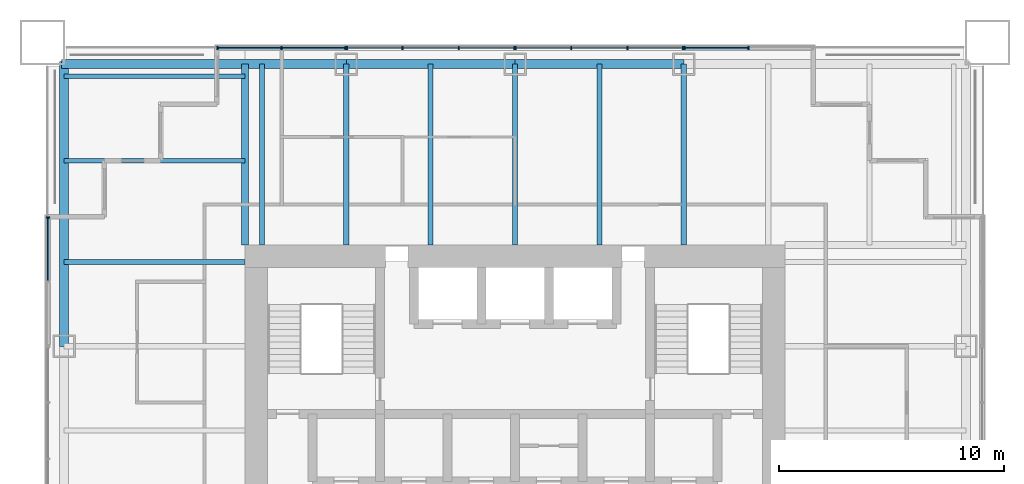
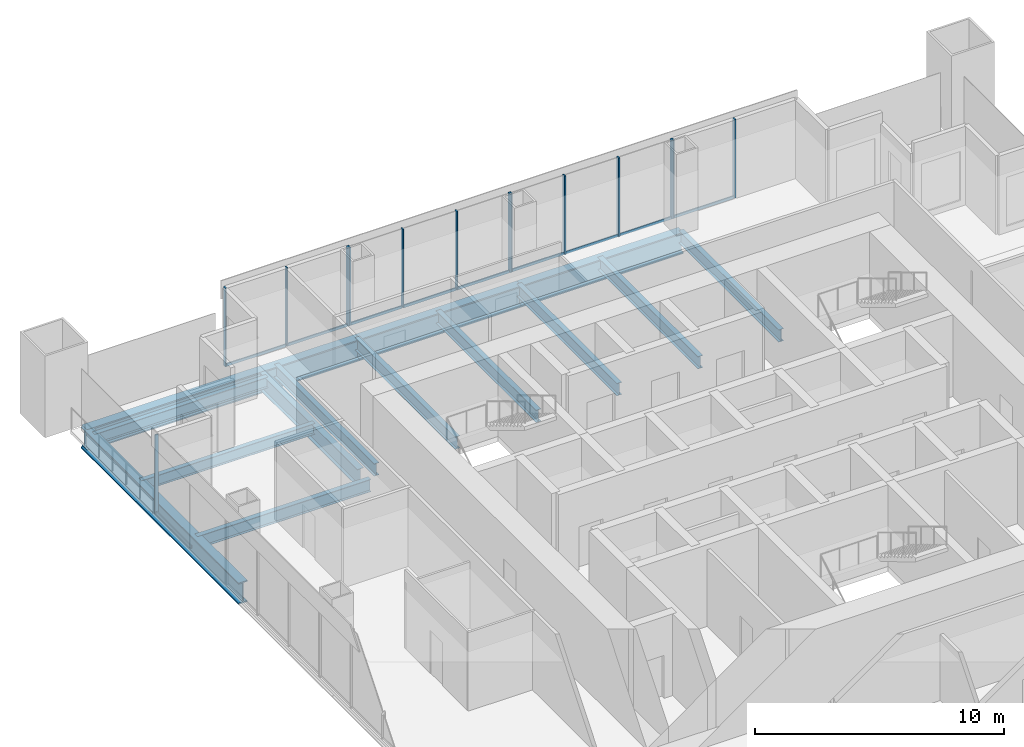
# One storey, part 6 of 14: 24 members, 14 beams, 5 elements without a shape of their own.
"""IFC4 building model written with IfcOpenShell, lengths in metres."""

import ifcopenshell
import ifcopenshell.guid

model = None  # the IFC model being written
_history = None  # IfcOwnerHistory: only IFC2X3 demands one
_inside = {}  # id of a spatial element -> (the spatial element, [elements in it])
_under = {}  # id of a project, library or spatial element -> (it, [spatial elements below it])
_declared = {}  # id of a project -> (the project, [libraries it declares])
_typed = {}  # id of a type object -> (the type object, [elements of that type])
_made_of = {}  # id of a material, layer set ... -> (it, [elements and type objects made of it])


def new_model(schema):
    """Start an empty IFC model of exactly this schema.

    Asked for "IFC4X3", IfcOpenShell would pick the latest addendum, in which some entities
    have other attributes; the version numbers below select the first issue.
    IFC2X3 requires an IfcOwnerHistory on every rooted entity: one is made here for all.
    """
    global model, _history
    if schema == "IFC4X3":
        model = ifcopenshell.file(schema_version=(4, 3, 0, 0))
    else:
        model = ifcopenshell.file(schema=schema)
    _inside.clear()
    _under.clear()
    _declared.clear()
    _typed.clear()
    _made_of.clear()
    _history = None
    if model.schema == "IFC2X3":
        org = make("IfcOrganization", Name="unknown")
        user = make(
            "IfcPersonAndOrganization",
            ThePerson=make("IfcPerson", FamilyName="unknown"),
            TheOrganization=org,
        )
        app = make(
            "IfcApplication",
            ApplicationDeveloper=org,
            Version="unknown",
            ApplicationFullName="unknown",
            ApplicationIdentifier="unknown",
        )
        _history = make(
            "IfcOwnerHistory",
            OwningUser=user,
            OwningApplication=app,
            ChangeAction="ADDED",
            CreationDate=0,
        )
    return model


def make(cls, **values):
    """One entity of the class cls with the attributes given. An attribute that is None is left unset."""
    return model.create_entity(
        cls, **{name: value for name, value in values.items() if value is not None}
    )


def rooted(cls, **values):
    """An entity with a GlobalId (a new one), such as an element, a storey or a relation."""
    return make(cls, GlobalId=ifcopenshell.guid.new(), OwnerHistory=_history, **values)


def si_unit(unit_type, name, prefix=None):
    """IfcSIUnit, for example si_unit("LENGTHUNIT", "METRE", prefix="MILLI")."""
    return make("IfcSIUnit", UnitType=unit_type, Prefix=prefix, Name=name)


def assignment(units):
    """IfcUnitAssignment: the units of a project."""
    return None if units is None else make("IfcUnitAssignment", Units=units)


def point(xyz):
    """IfcCartesianPoint."""
    return None if xyz is None else make("IfcCartesianPoint", Coordinates=xyz)


def direction(xyz):
    """IfcDirection."""
    return None if xyz is None else make("IfcDirection", DirectionRatios=xyz)


def frame(location, z_axis=None, x_axis=None):
    """IfcAxis2Placement3D, a coordinate frame: its origin and axes. An axis left out is left unset."""
    return make(
        "IfcAxis2Placement3D",
        Location=point(location),
        Axis=direction(z_axis),
        RefDirection=direction(x_axis),
    )


def frame_2d(location, x_axis=None):
    """IfcAxis2Placement2D, a coordinate frame in the plane: its origin and x axis."""
    return make(
        "IfcAxis2Placement2D", Location=point(location), RefDirection=direction(x_axis)
    )


def origin():
    """The frame at (0, 0, 0) with its axes left unset."""
    return frame((0.0, 0.0, 0.0))


def origin_2d():
    """The frame at (0, 0) in the plane with its x axis left unset."""
    return frame_2d((0.0, 0.0))


def place(relative_to, where):
    """IfcLocalPlacement: puts the frame where relative to a parent placement (None: the world)."""
    return make(
        "IfcLocalPlacement", PlacementRelTo=relative_to, RelativePlacement=where
    )


def context(
    kind, dimensions, precision=None, world=None, true_north=None, identifier=None
):
    """IfcGeometricRepresentationContext, for example the 3D "Model" context."""
    return make(
        "IfcGeometricRepresentationContext",
        ContextIdentifier=identifier,
        ContextType=kind,
        CoordinateSpaceDimension=dimensions,
        Precision=precision,
        WorldCoordinateSystem=world,
        TrueNorth=true_north,
    )


def subcontext(parent, identifier, kind, view, scale=None):
    """IfcGeometricRepresentationSubContext, for example "Body" below "Model"."""
    return make(
        "IfcGeometricRepresentationSubContext",
        ContextIdentifier=identifier,
        ContextType=kind,
        ParentContext=parent,
        TargetScale=scale,
        TargetView=view,
    )


def project(units=None, contexts=None):
    """IfcProject with its units and contexts."""
    return rooted(
        "IfcProject",
        Name="project",
        RepresentationContexts=contexts,
        UnitsInContext=assignment(units),
    )


def spatial(cls, under=None, at=None, **own):
    """A site, building, storey or space (cls), placed at a placement, below another one or the project."""
    s = rooted(cls, ObjectPlacement=at, **own)
    if under is not None:
        _under.setdefault(under.id(), (under, []))[1].append(s)
    return s


def profile(cls, at=None, kind="AREA", **sizes):
    """A parametric profile (cls). Its sizes go by their IFC names, for example OverallWidth=200.0."""
    return make(cls, ProfileType=kind, Position=at, **sizes)


def rectangle(**sizes):
    """IfcRectangleProfileDef."""
    return profile("IfcRectangleProfileDef", **sizes)


def i_section(**sizes):
    """IfcIShapeProfileDef."""
    return profile("IfcIShapeProfileDef", **sizes)


def extrude(swept, where, along, depth):
    """IfcExtrudedAreaSolid: the profile swept, set in the frame where, extruded along a direction by depth."""
    return make(
        "IfcExtrudedAreaSolid",
        SweptArea=swept,
        Position=where,
        ExtrudedDirection=direction(along),
        Depth=depth,
    )


def shape(context_of_items, identifier, shape_type, items):
    """IfcShapeRepresentation: the items that make up one representation, for example the "Body"."""
    return make(
        "IfcShapeRepresentation",
        ContextOfItems=context_of_items,
        RepresentationIdentifier=identifier,
        RepresentationType=shape_type,
        Items=items,
    )


def material(Name=None, Category=None):
    """IfcMaterial."""
    return make("IfcMaterial", Name=Name, Category=Category)


def material_profile(
    of_material, cross_section, Name=None, Category=None, Priority=None
):
    """IfcMaterialProfile: a cross section and its material."""
    return make(
        "IfcMaterialProfile",
        Name=Name,
        Material=of_material,
        Profile=cross_section,
        Priority=Priority,
        Category=Category,
    )


def profile_set(profiles, Name=None, composite=None):
    """IfcMaterialProfileSet."""
    return make(
        "IfcMaterialProfileSet",
        Name=Name,
        MaterialProfiles=profiles,
        CompositeProfile=composite,
    )


def made_of(thing, what):
    """Note that an element or type object is made of a material, layer set ...; save() writes the relation."""
    if what is not None:
        _made_of.setdefault(what.id(), (what, []))[1].append(thing)
    return thing


def type_object(cls, material=None, **own):
    """A type object (cls), such as IfcWallType, which elements share."""
    return made_of(rooted(cls, **own), material)


def element(
    cls,
    number,
    at=None,
    inside=None,
    cuts=None,
    type_object=None,
    material=None,
    context=None,
    identifier="Body",
    shape_type=None,
    held_by="IfcProductDefinitionShape",
    body=None,
    shapes=None,
    **own,
):
    """One element of the class cls, such as IfcWall. Its Tag is "e" and its number.

    at: its placement. inside: the storey or other place that contains it. cuts: it is an
    opening in that element (IfcRelVoidsElement). A single representation is given by context,
    identifier, shape_type and body (its items); several are given by shapes. held_by: the class
    of the entity that holds the representations. save() writes the other relations.
    """
    e = rooted(cls, Tag="e%d" % number, ObjectPlacement=at, **own)
    if body is not None:
        shapes = [shape(context, identifier, shape_type, body)]
    if shapes is not None:
        e.Representation = make(held_by, Representations=shapes)
    if inside is not None:
        _inside.setdefault(inside.id(), (inside, []))[1].append(e)
    if cuts is not None:
        rooted(
            "IfcRelVoidsElement", RelatingBuildingElement=cuts, RelatedOpeningElement=e
        )
    if type_object is not None:
        _typed.setdefault(type_object.id(), (type_object, []))[1].append(e)
    return made_of(e, material)


def aggregate(whole, parts):
    """IfcRelAggregates: a whole, such as a stair, and the parts it consists of."""
    return rooted("IfcRelAggregates", RelatingObject=whole, RelatedObjects=parts)


def save(model, path):
    """Write the relations noted so far, then the file.

    IfcRelAggregates (storeys below a building ...), IfcRelContainedInSpatialStructure (elements
    in a storey), IfcRelDefinesByType, IfcRelAssociatesMaterial and IfcRelDeclares: one each for
    every whole, place, type object, material and project.
    """
    for whole, parts in _under.values():
        aggregate(whole, parts)
    for where, things in _inside.values():
        rooted(
            "IfcRelContainedInSpatialStructure",
            RelatedElements=things,
            RelatingStructure=where,
        )
    for kind, things in _typed.values():
        rooted("IfcRelDefinesByType", RelatedObjects=things, RelatingType=kind)
    for what, things in _made_of.values():
        rooted("IfcRelAssociatesMaterial", RelatedObjects=things, RelatingMaterial=what)
    for by, libraries in _declared.values():
        rooted("IfcRelDeclares", RelatingContext=by, RelatedDefinitions=libraries)
    model.write(path)


model = new_model("IFC4")

# Units and contexts
model_context = context("Model", 3, precision=1e-05, world=origin(), true_north=direction((0.0, 1.0)))
body_context = subcontext(model_context, "Body", "Model", "MODEL_VIEW")
ifc_project = project(units=[si_unit("LENGTHUNIT", "METRE"), si_unit("AREAUNIT", "SQUARE_METRE"), si_unit("VOLUMEUNIT", "CUBIC_METRE"), si_unit("PLANEANGLEUNIT", "RADIAN"), si_unit("MASSUNIT", "GRAM", prefix="KILO")], contexts=[model_context])

# Site, building, storey
site_placement = place(None, origin())
site = spatial("IfcSite", under=ifc_project, at=site_placement, CompositionType="ELEMENT")
building_placement = place(site_placement, origin())
building = spatial("IfcBuilding", under=site, at=building_placement, Name="Tarangal Relay Tower", CompositionType="ELEMENT")
storey_placement = place(building_placement, frame((0.0, 0.0, 267.89990234375)))
storey = spatial("IfcBuildingStorey", under=building, at=storey_placement, Name="L58", CompositionType="ELEMENT", Elevation=267.89990234375)

# Beams
ifc_material_1 = material(Name="Steel ASTM A992", Category="steel")
ifc_material_profile_1 = material_profile(ifc_material_1, i_section(OverallWidth=0.209228515625, OverallDepth=0.533447265625, WebThickness=0.01025390625, FlangeThickness=0.015625, at=origin_2d()), Name="W21X62")
ifc_profile_set_1 = profile_set([ifc_material_profile_1], Name="Steel ASTM A992")
beam_type_1 = type_object("IfcBeamType", Name="Corner beam W21X62", PredefinedType="JOIST", material=ifc_profile_set_1)
for number, where, z_axis, x_axis, name in (
    (1, (-12.0, 15.75, -0.41650390625), (-1.0, 0.0, 0.0), (0.0, -1.0, 0.0), "Corner beam CB12 W L58"),
    (2, (-12.0, 19.5, -0.41650390625), (-1.0, 0.0, 0.0), (0.0, -1.0, 0.0), "Corner beam CB12 W L58"),
):
    element("IfcBeam", number, at=place(storey_placement, frame(where, z_axis=z_axis, x_axis=x_axis)), inside=storey, type_object=beam_type_1, Name=name, PredefinedType="JOIST", context=body_context, shape_type="SweptSolid", body=[
        extrude(i_section(OverallWidth=0.209228515625, OverallDepth=0.533447265625, WebThickness=0.01025390625, FlangeThickness=0.015625, at=origin_2d()), origin(), (0.0, 0.0, 1.0), 8.0400390625),
    ])
ifc_material_profile_2 = material_profile(ifc_material_1, i_section(OverallWidth=0.2919921875, OverallDepth=0.8408203125, WebThickness=0.0146484375, FlangeThickness=0.021728515625, at=origin_2d()), Name="W33X130")
ifc_profile_set_2 = profile_set([ifc_material_profile_2], Name="Steel ASTM A992")
beam_type_2 = type_object("IfcBeamType", Name="Corner girder W33X130", PredefinedType="BEAM", material=ifc_profile_set_2)
beam_1_placement = place(storey_placement, frame((-12.0, 12.0, -0.5703125), z_axis=(0.0, 1.0, 0.0), x_axis=(-1.0, 0.0, 0.0)))
element("IfcBeam", 3, at=beam_1_placement, inside=storey, type_object=beam_type_2, Name="Corner girder CG5 W L58", PredefinedType="BEAM", context=body_context, shape_type="SweptSolid", body=[
    extrude(i_section(OverallWidth=0.2919921875, OverallDepth=0.8408203125, WebThickness=0.0146484375, FlangeThickness=0.021728515625, at=origin_2d()), origin(), (0.0, 0.0, 1.0), 8.0400390625),
])
ifc_material_profile_3 = material_profile(ifc_material_1, i_section(OverallWidth=0.41162109375, OverallDepth=1.049072265625, WebThickness=0.033935546875, FlangeThickness=0.059814453125, at=origin_2d()), Name="W40X431")
ifc_profile_set_3 = profile_set([ifc_material_profile_3], Name="Steel ASTM A992")
beam_type_3 = type_object("IfcBeamType", Name="Edge girder W40X431", PredefinedType="SPANDREL", material=ifc_profile_set_3)
beam_2_placement = place(storey_placement, frame((-20.14990234375, 20.0400390625, -0.67431640625), z_axis=(1.0, 0.0, 0.0), x_axis=(0.0, 1.0, 0.0)))
element("IfcBeam", 4, at=beam_2_placement, inside=storey, type_object=beam_type_3, Name="Edge girder EG1 N L58", PredefinedType="SPANDREL", context=body_context, shape_type="SweptSolid", body=[
    extrude(i_section(OverallWidth=0.41162109375, OverallDepth=1.049072265625, WebThickness=0.033935546875, FlangeThickness=0.059814453125, at=origin_2d()), origin(), (0.0, 0.0, 1.0), 12.64990234375),
])
for number, where, z_axis, x_axis, name in (
    (5, (-7.5, 20.0400390625, -0.67431640625), (1.0, 0.0, 0.0), (0.0, 1.0, 0.0), "Edge girder EG1 N L58"),
    (6, (0.0, 20.0400390625, -0.67431640625), (1.0, 0.0, 0.0), (0.0, 1.0, 0.0), "Edge girder EG1 N L58"),
):
    element("IfcBeam", number, at=place(storey_placement, frame(where, z_axis=z_axis, x_axis=x_axis)), inside=storey, type_object=beam_type_3, Name=name, PredefinedType="SPANDREL", context=body_context, shape_type="SweptSolid", body=[
        extrude(i_section(OverallWidth=0.41162109375, OverallDepth=1.049072265625, WebThickness=0.033935546875, FlangeThickness=0.059814453125, at=origin_2d()), origin(), (0.0, 0.0, 1.0), 7.5),
    ])
beam_3_placement = place(storey_placement, frame((-20.0400390625, 7.5, -0.67431640625), z_axis=(0.0, 1.0, 0.0), x_axis=(-1.0, 0.0, 0.0)))
element("IfcBeam", 7, at=beam_3_placement, inside=storey, type_object=beam_type_3, Name="Edge girder EG1 W L58", PredefinedType="SPANDREL", context=body_context, shape_type="SweptSolid", body=[
    extrude(i_section(OverallWidth=0.41162109375, OverallDepth=1.049072265625, WebThickness=0.033935546875, FlangeThickness=0.059814453125, at=origin_2d()), origin(), (0.0, 0.0, 1.0), 12.64990234375),
])
ifc_material_profile_4 = material_profile(ifc_material_1, i_section(OverallWidth=0.228271484375, OverallDepth=0.607177734375, WebThickness=0.01123046875, FlangeThickness=0.017333984375, at=origin_2d()), Name="W24X76")
ifc_profile_set_4 = profile_set([ifc_material_profile_4], Name="Steel ASTM A992")
beam_type_4 = type_object("IfcBeamType", Name="Floor beam W24X76", PredefinedType="BEAM", material=ifc_profile_set_4)
for number, where, z_axis, x_axis, name in (
    (8, (-11.25, 12.0, -0.453369140625), (0.0, 1.0, 0.0), (-1.0, 0.0, 0.0), "Floor beam RB5 N L58"),
    (9, (-7.5, 12.0, -0.453369140625), (0.0, 1.0, 0.0), (-1.0, 0.0, 0.0), "Floor beam RB5 N L58"),
    (10, (-3.75, 12.0, -0.453369140625), (0.0, 1.0, 0.0), (-1.0, 0.0, 0.0), "Floor beam RB5 N L58"),
    (11, (0.0, 12.0, -0.453369140625), (0.0, 1.0, 0.0), (-1.0, 0.0, 0.0), "Floor beam RB5 N L58"),
    (12, (3.75, 12.0, -0.453369140625), (0.0, 1.0, 0.0), (-1.0, 0.0, 0.0), "Floor beam RB5 N L58"),
    (13, (7.5, 12.0, -0.453369140625), (0.0, 1.0, 0.0), (-1.0, 0.0, 0.0), "Floor beam RB5 N L58"),
    (14, (-12.0, 11.25, -0.453369140625), (-1.0, 0.0, 0.0), (0.0, -1.0, 0.0), "Floor beam RB5 W L58"),
):
    element("IfcBeam", number, at=place(storey_placement, frame(where, z_axis=z_axis, x_axis=x_axis)), inside=storey, type_object=beam_type_4, Name=name, PredefinedType="BEAM", context=body_context, shape_type="SweptSolid", body=[
        extrude(i_section(OverallWidth=0.228271484375, OverallDepth=0.607177734375, WebThickness=0.01123046875, FlangeThickness=0.017333984375, at=origin_2d()), origin(), (0.0, 0.0, 1.0), 8.0400390625),
    ])

# Curtain wall, members
ifc_material_2 = material(Name="Unitised curtain wall, dark glass and black aluminium", Category="aluminium")
curtain_wall_type_1 = type_object("IfcCurtainWallType", Name="Curtain wall CW-B", PredefinedType="USERDEFINED", material=ifc_material_2)
curtain_wall_1_placement = place(storey_placement, origin())
curtain_wall_1 = element("IfcCurtainWall", 15, at=curtain_wall_1_placement, inside=storey, type_object=curtain_wall_type_1, Name="Curtain wall CW-B N facade L58", ObjectType="UNITISED CURTAIN WALL", PredefinedType="USERDEFINED")
ifc_material_3 = material(Name="Black anodised aluminium mullion", Category="aluminium")
ifc_material_profile_5 = material_profile(ifc_material_3, rectangle(XDim=0.159912109375, YDim=0.06005859375, at=origin_2d()), Name="CW-BM 60X160")
ifc_profile_set_5 = profile_set([ifc_material_profile_5], Name="Black anodised aluminium mullion")
member_type_1 = type_object("IfcMemberType", Name="Mullion CW-B 60 x 160", PredefinedType="MULLION", material=ifc_profile_set_5)
member_1_placement = place(storey_placement, frame((-7.469970703125, 20.75, 0.0), z_axis=(0.0, 0.0, 1.0), x_axis=(0.0, 1.0, 0.0)))
member_1 = element("IfcMember", 16, at=member_1_placement, type_object=member_type_1, Name="CW-B mullion 1", PredefinedType="MULLION", context=body_context, shape_type="SweptSolid", body=[
    extrude(rectangle(XDim=0.159912109375, YDim=0.06005859375, at=origin_2d()), origin(), (0.0, 0.0, 1.0), 3.85009765625),
])
member_2_placement = place(storey_placement, frame((-5.0, 20.75, 0.0), z_axis=(0.0, 0.0, 1.0), x_axis=(0.0, 1.0, 0.0)))
member_2 = element("IfcMember", 17, at=member_2_placement, type_object=member_type_1, Name="CW-B mullion 2", PredefinedType="MULLION", context=body_context, shape_type="SweptSolid", body=[
    extrude(rectangle(XDim=0.159912109375, YDim=0.06005859375, at=origin_2d()), origin(), (0.0, 0.0, 1.0), 3.85009765625),
])
member_3_placement = place(storey_placement, frame((-2.5, 20.75, 0.0), z_axis=(0.0, 0.0, 1.0), x_axis=(0.0, 1.0, 0.0)))
member_3 = element("IfcMember", 18, at=member_3_placement, type_object=member_type_1, Name="CW-B mullion 3", PredefinedType="MULLION", context=body_context, shape_type="SweptSolid", body=[
    extrude(rectangle(XDim=0.159912109375, YDim=0.06005859375, at=origin_2d()), origin(), (0.0, 0.0, 1.0), 3.85009765625),
])
member_4_placement = place(storey_placement, frame((-0.030029296875, 20.75, 0.0), z_axis=(0.0, 0.0, 1.0), x_axis=(0.0, 1.0, 0.0)))
member_4 = element("IfcMember", 19, at=member_4_placement, type_object=member_type_1, Name="CW-B mullion 4", PredefinedType="MULLION", context=body_context, shape_type="SweptSolid", body=[
    extrude(rectangle(XDim=0.159912109375, YDim=0.06005859375, at=origin_2d()), origin(), (0.0, 0.0, 1.0), 3.85009765625),
])

curtain_wall_2_placement = place(storey_placement, origin())
curtain_wall_2 = element("IfcCurtainWall", 20, at=curtain_wall_2_placement, inside=storey, type_object=curtain_wall_type_1, Name="Curtain wall CW-B N facade L58", ObjectType="UNITISED CURTAIN WALL", PredefinedType="USERDEFINED")
member_5_placement = place(storey_placement, frame((0.030029296875, 20.75, 0.0), z_axis=(0.0, 0.0, 1.0), x_axis=(0.0, 1.0, 0.0)))
member_5 = element("IfcMember", 21, at=member_5_placement, type_object=member_type_1, Name="CW-B mullion 1", PredefinedType="MULLION", context=body_context, shape_type="SweptSolid", body=[
    extrude(rectangle(XDim=0.159912109375, YDim=0.06005859375, at=origin_2d()), origin(), (0.0, 0.0, 1.0), 3.85009765625),
])
member_6_placement = place(storey_placement, frame((2.5, 20.75, 0.0), z_axis=(0.0, 0.0, 1.0), x_axis=(0.0, 1.0, 0.0)))
member_6 = element("IfcMember", 22, at=member_6_placement, type_object=member_type_1, Name="CW-B mullion 2", PredefinedType="MULLION", context=body_context, shape_type="SweptSolid", body=[
    extrude(rectangle(XDim=0.159912109375, YDim=0.06005859375, at=origin_2d()), origin(), (0.0, 0.0, 1.0), 3.85009765625),
])
member_7_placement = place(storey_placement, frame((5.0, 20.75, 0.0), z_axis=(0.0, 0.0, 1.0), x_axis=(0.0, 1.0, 0.0)))
member_7 = element("IfcMember", 23, at=member_7_placement, type_object=member_type_1, Name="CW-B mullion 3", PredefinedType="MULLION", context=body_context, shape_type="SweptSolid", body=[
    extrude(rectangle(XDim=0.159912109375, YDim=0.06005859375, at=origin_2d()), origin(), (0.0, 0.0, 1.0), 3.85009765625),
])
member_8_placement = place(storey_placement, frame((7.469970703125, 20.75, 0.0), z_axis=(0.0, 0.0, 1.0), x_axis=(0.0, 1.0, 0.0)))
member_8 = element("IfcMember", 24, at=member_8_placement, type_object=member_type_1, Name="CW-B mullion 4", PredefinedType="MULLION", context=body_context, shape_type="SweptSolid", body=[
    extrude(rectangle(XDim=0.159912109375, YDim=0.06005859375, at=origin_2d()), origin(), (0.0, 0.0, 1.0), 3.85009765625),
])

ifc_material_4 = material(Name="Unitised curtain wall frame, black aluminium, with metal clad infill walls", Category="aluminium")
curtain_wall_type_2 = type_object("IfcCurtainWallType", Name="Curtain wall CW-BO", PredefinedType="USERDEFINED", material=ifc_material_4)
curtain_wall_3_placement = place(storey_placement, origin())
curtain_wall_3 = element("IfcCurtainWall", 25, at=curtain_wall_3_placement, inside=storey, type_object=curtain_wall_type_2, Name="Curtain wall CW-BO N facade L58", ObjectType="UNITISED CURTAIN WALL", PredefinedType="USERDEFINED")
ifc_material_profile_6 = material_profile(ifc_material_3, rectangle(XDim=0.159912109375, YDim=0.06005859375, at=origin_2d()), Name="CW-BOM 60X160")
ifc_profile_set_6 = profile_set([ifc_material_profile_6], Name="Black anodised aluminium mullion")
member_type_2 = type_object("IfcMemberType", Name="Mullion CW-BO 60 x 160", PredefinedType="MULLION", material=ifc_profile_set_6)
member_9_placement = place(storey_placement, frame((-13.219970703125, 20.75, 0.0), z_axis=(0.0, 0.0, 1.0), x_axis=(0.0, 1.0, 0.0)))
member_9 = element("IfcMember", 26, at=member_9_placement, type_object=member_type_2, Name="CW-BO mullion 1", PredefinedType="MULLION", context=body_context, shape_type="SweptSolid", body=[
    extrude(rectangle(XDim=0.159912109375, YDim=0.06005859375, at=origin_2d()), origin(), (0.0, 0.0, 1.0), 3.85009765625),
])
member_10_placement = place(storey_placement, frame((-10.375, 20.75, 0.0), z_axis=(0.0, 0.0, 1.0), x_axis=(0.0, 1.0, 0.0)))
member_10 = element("IfcMember", 27, at=member_10_placement, type_object=member_type_2, Name="CW-BO mullion 2", PredefinedType="MULLION", context=body_context, shape_type="SweptSolid", body=[
    extrude(rectangle(XDim=0.159912109375, YDim=0.06005859375, at=origin_2d()), origin(), (0.0, 0.0, 1.0), 3.85009765625),
])
member_11_placement = place(storey_placement, frame((-7.530029296875, 20.75, 0.0), z_axis=(0.0, 0.0, 1.0), x_axis=(0.0, 1.0, 0.0)))
member_11 = element("IfcMember", 28, at=member_11_placement, type_object=member_type_2, Name="CW-BO mullion 3", PredefinedType="MULLION", context=body_context, shape_type="SweptSolid", body=[
    extrude(rectangle(XDim=0.159912109375, YDim=0.06005859375, at=origin_2d()), origin(), (0.0, 0.0, 1.0), 3.85009765625),
])

curtain_wall_4_placement = place(storey_placement, origin())
curtain_wall_4 = element("IfcCurtainWall", 29, at=curtain_wall_4_placement, inside=storey, type_object=curtain_wall_type_2, Name="Curtain wall CW-BO N facade L58", ObjectType="UNITISED CURTAIN WALL", PredefinedType="USERDEFINED")
member_12_placement = place(storey_placement, frame((7.530029296875, 20.75, 0.0), z_axis=(0.0, 0.0, 1.0), x_axis=(0.0, 1.0, 0.0)))
member_12 = element("IfcMember", 30, at=member_12_placement, type_object=member_type_2, Name="CW-BO mullion 1", PredefinedType="MULLION", context=body_context, shape_type="SweptSolid", body=[
    extrude(rectangle(XDim=0.159912109375, YDim=0.06005859375, at=origin_2d()), origin(), (0.0, 0.0, 1.0), 3.85009765625),
])
member_13_placement = place(storey_placement, frame((10.375, 20.75, 0.0), z_axis=(0.0, 0.0, 1.0), x_axis=(0.0, 1.0, 0.0)))
member_13 = element("IfcMember", 31, at=member_13_placement, type_object=member_type_2, Name="CW-BO mullion 2", PredefinedType="MULLION", context=body_context, shape_type="SweptSolid", body=[
    extrude(rectangle(XDim=0.159912109375, YDim=0.06005859375, at=origin_2d()), origin(), (0.0, 0.0, 1.0), 3.85009765625),
])

# Curtain wall, member
curtain_wall_5_placement = place(storey_placement, origin())
curtain_wall_5 = element("IfcCurtainWall", 32, at=curtain_wall_5_placement, inside=storey, type_object=curtain_wall_type_2, Name="Curtain wall CW-BO W facade L58", ObjectType="UNITISED CURTAIN WALL", PredefinedType="USERDEFINED")
member_14_placement = place(storey_placement, frame((-20.75, 13.219970703125, 0.0), z_axis=(0.0, 0.0, 1.0), x_axis=(-1.0, 0.0, 0.0)))
member_14 = element("IfcMember", 33, at=member_14_placement, type_object=member_type_2, Name="CW-BO mullion 3", PredefinedType="MULLION", context=body_context, shape_type="SweptSolid", body=[
    extrude(rectangle(XDim=0.159912109375, YDim=0.06005859375, at=origin_2d()), origin(), (0.0, 0.0, 1.0), 3.85009765625),
])

# Member
ifc_material_5 = material(Name="Black anodised aluminium transom", Category="aluminium")
ifc_material_profile_7 = material_profile(ifc_material_5, rectangle(XDim=0.06005859375, YDim=0.1298828125, at=origin_2d()), Name="CW-BT 60X130")
ifc_profile_set_7 = profile_set([ifc_material_profile_7], Name="Black anodised aluminium transom")
member_type_3 = type_object("IfcMemberType", Name="Transom CW-B 60 x 130", PredefinedType="USERDEFINED", material=ifc_profile_set_7)
member_15_placement = place(storey_placement, frame((-7.43994140625, 20.75, 0.030029296875), z_axis=(1.0, 0.0, 0.0), x_axis=(0.0, 1.0, 0.0)))
member_15 = element("IfcMember", 34, at=member_15_placement, type_object=member_type_3, Name="CW-B transom 1.1", ObjectType="TRANSOM", PredefinedType="USERDEFINED", context=body_context, shape_type="SweptSolid", body=[
    extrude(rectangle(XDim=0.06005859375, YDim=0.1298828125, at=origin_2d()), origin(), (0.0, 0.0, 1.0), 2.409912109375),
])

member_16_placement = place(storey_placement, frame((-4.969970703125, 20.75, 0.030029296875), z_axis=(1.0, 0.0, 0.0), x_axis=(0.0, 1.0, 0.0)))
member_16 = element("IfcMember", 35, at=member_16_placement, type_object=member_type_3, Name="CW-B transom 2.1", ObjectType="TRANSOM", PredefinedType="USERDEFINED", context=body_context, shape_type="SweptSolid", body=[
    extrude(rectangle(XDim=0.06005859375, YDim=0.1298828125, at=origin_2d()), origin(), (0.0, 0.0, 1.0), 2.43994140625),
])

member_17_placement = place(storey_placement, frame((-2.469970703125, 20.75, 0.030029296875), z_axis=(1.0, 0.0, 0.0), x_axis=(0.0, 1.0, 0.0)))
member_17 = element("IfcMember", 36, at=member_17_placement, type_object=member_type_3, Name="CW-B transom 3.1", ObjectType="TRANSOM", PredefinedType="USERDEFINED", context=body_context, shape_type="SweptSolid", body=[
    extrude(rectangle(XDim=0.06005859375, YDim=0.1298828125, at=origin_2d()), origin(), (0.0, 0.0, 1.0), 2.409912109375),
])

aggregate(curtain_wall_1, [member_1, member_2, member_3, member_4, member_15, member_16, member_17])

member_18_placement = place(storey_placement, frame((0.06005859375, 20.75, 0.030029296875), z_axis=(1.0, 0.0, 0.0), x_axis=(0.0, 1.0, 0.0)))
member_18 = element("IfcMember", 37, at=member_18_placement, type_object=member_type_3, Name="CW-B transom 1.1", ObjectType="TRANSOM", PredefinedType="USERDEFINED", context=body_context, shape_type="SweptSolid", body=[
    extrude(rectangle(XDim=0.06005859375, YDim=0.1298828125, at=origin_2d()), origin(), (0.0, 0.0, 1.0), 2.409912109375),
])

member_19_placement = place(storey_placement, frame((2.530029296875, 20.75, 0.030029296875), z_axis=(1.0, 0.0, 0.0), x_axis=(0.0, 1.0, 0.0)))
member_19 = element("IfcMember", 38, at=member_19_placement, type_object=member_type_3, Name="CW-B transom 2.1", ObjectType="TRANSOM", PredefinedType="USERDEFINED", context=body_context, shape_type="SweptSolid", body=[
    extrude(rectangle(XDim=0.06005859375, YDim=0.1298828125, at=origin_2d()), origin(), (0.0, 0.0, 1.0), 2.43994140625),
])

member_20_placement = place(storey_placement, frame((5.030029296875, 20.75, 0.030029296875), z_axis=(1.0, 0.0, 0.0), x_axis=(0.0, 1.0, 0.0)))
member_20 = element("IfcMember", 39, at=member_20_placement, type_object=member_type_3, Name="CW-B transom 3.1", ObjectType="TRANSOM", PredefinedType="USERDEFINED", context=body_context, shape_type="SweptSolid", body=[
    extrude(rectangle(XDim=0.06005859375, YDim=0.1298828125, at=origin_2d()), origin(), (0.0, 0.0, 1.0), 2.409912109375),
])

aggregate(curtain_wall_2, [member_5, member_6, member_7, member_8, member_18, member_19, member_20])

ifc_material_profile_8 = material_profile(ifc_material_5, rectangle(XDim=0.06005859375, YDim=0.1298828125, at=origin_2d()), Name="CW-BOT 60X130")
ifc_profile_set_8 = profile_set([ifc_material_profile_8], Name="Black anodised aluminium transom")
member_type_4 = type_object("IfcMemberType", Name="Transom CW-BO 60 x 130", PredefinedType="USERDEFINED", material=ifc_profile_set_8)
member_21_placement = place(storey_placement, frame((-13.18994140625, 20.75, 0.030029296875), z_axis=(1.0, 0.0, 0.0), x_axis=(0.0, 1.0, 0.0)))
member_21 = element("IfcMember", 40, at=member_21_placement, type_object=member_type_4, Name="CW-BO transom 1.1", ObjectType="TRANSOM", PredefinedType="USERDEFINED", context=body_context, shape_type="SweptSolid", body=[
    extrude(rectangle(XDim=0.06005859375, YDim=0.1298828125, at=origin_2d()), origin(), (0.0, 0.0, 1.0), 2.784912109375),
])

member_22_placement = place(storey_placement, frame((-10.344970703125, 20.75, 0.030029296875), z_axis=(1.0, 0.0, 0.0), x_axis=(0.0, 1.0, 0.0)))
member_22 = element("IfcMember", 41, at=member_22_placement, type_object=member_type_4, Name="CW-BO transom 2.1", ObjectType="TRANSOM", PredefinedType="USERDEFINED", context=body_context, shape_type="SweptSolid", body=[
    extrude(rectangle(XDim=0.06005859375, YDim=0.1298828125, at=origin_2d()), origin(), (0.0, 0.0, 1.0), 2.784912109375),
])

aggregate(curtain_wall_3, [member_9, member_10, member_11, member_21, member_22])

member_23_placement = place(storey_placement, frame((7.56005859375, 20.75, 0.030029296875), z_axis=(1.0, 0.0, 0.0), x_axis=(0.0, 1.0, 0.0)))
member_23 = element("IfcMember", 42, at=member_23_placement, type_object=member_type_4, Name="CW-BO transom 1.1", ObjectType="TRANSOM", PredefinedType="USERDEFINED", context=body_context, shape_type="SweptSolid", body=[
    extrude(rectangle(XDim=0.06005859375, YDim=0.1298828125, at=origin_2d()), origin(), (0.0, 0.0, 1.0), 2.784912109375),
])

aggregate(curtain_wall_4, [member_12, member_13, member_23])

member_24_placement = place(storey_placement, frame((-20.75, 10.405029296875, 0.030029296875), z_axis=(0.0, 1.0, 0.0), x_axis=(-1.0, 0.0, 0.0)))
member_24 = element("IfcMember", 43, at=member_24_placement, type_object=member_type_4, Name="CW-BO transom 2.1", ObjectType="TRANSOM", PredefinedType="USERDEFINED", context=body_context, shape_type="SweptSolid", body=[
    extrude(rectangle(XDim=0.06005859375, YDim=0.1298828125, at=origin_2d()), origin(), (0.0, 0.0, 1.0), 2.784912109375),
])

aggregate(curtain_wall_5, [member_14, member_24])

save(model, "model.ifc")
